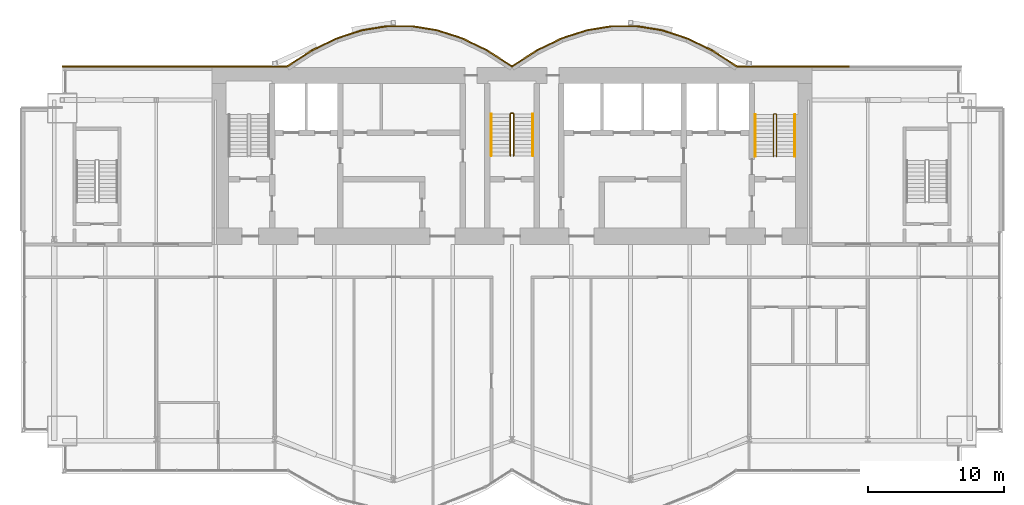
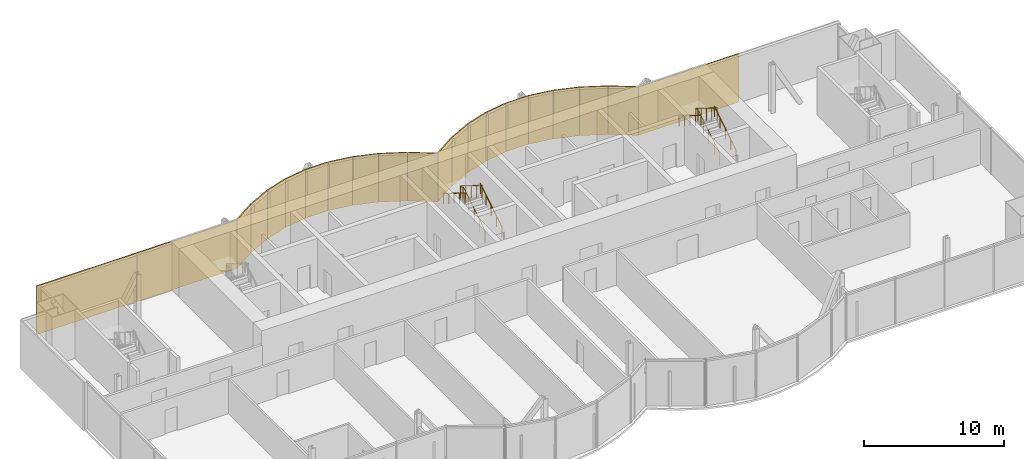
# One storey, part 19 of 20: 21 coverings, 6 railings.
"""IFC4 building model written with IfcOpenShell, lengths in metres."""

import ifcopenshell
import ifcopenshell.guid

model = None  # the IFC model being written
_history = None  # IfcOwnerHistory: only IFC2X3 demands one
_inside = {}  # id of a spatial element -> (the spatial element, [elements in it])
_under = {}  # id of a project, library or spatial element -> (it, [spatial elements below it])
_declared = {}  # id of a project -> (the project, [libraries it declares])
_typed = {}  # id of a type object -> (the type object, [elements of that type])
_made_of = {}  # id of a material, layer set ... -> (it, [elements and type objects made of it])


def new_model(schema):
    """Start an empty IFC model of exactly this schema.

    Asked for "IFC4X3", IfcOpenShell would pick the latest addendum, in which some entities
    have other attributes; the version numbers below select the first issue.
    IFC2X3 requires an IfcOwnerHistory on every rooted entity: one is made here for all.
    """
    global model, _history
    if schema == "IFC4X3":
        model = ifcopenshell.file(schema_version=(4, 3, 0, 0))
    else:
        model = ifcopenshell.file(schema=schema)
    _inside.clear()
    _under.clear()
    _declared.clear()
    _typed.clear()
    _made_of.clear()
    _history = None
    if model.schema == "IFC2X3":
        org = make("IfcOrganization", Name="unknown")
        user = make(
            "IfcPersonAndOrganization",
            ThePerson=make("IfcPerson", FamilyName="unknown"),
            TheOrganization=org,
        )
        app = make(
            "IfcApplication",
            ApplicationDeveloper=org,
            Version="unknown",
            ApplicationFullName="unknown",
            ApplicationIdentifier="unknown",
        )
        _history = make(
            "IfcOwnerHistory",
            OwningUser=user,
            OwningApplication=app,
            ChangeAction="ADDED",
            CreationDate=0,
        )
    return model


def make(cls, **values):
    """One entity of the class cls with the attributes given. An attribute that is None is left unset."""
    return model.create_entity(
        cls, **{name: value for name, value in values.items() if value is not None}
    )


def rooted(cls, **values):
    """An entity with a GlobalId (a new one), such as an element, a storey or a relation."""
    return make(cls, GlobalId=ifcopenshell.guid.new(), OwnerHistory=_history, **values)


def si_unit(unit_type, name, prefix=None):
    """IfcSIUnit, for example si_unit("LENGTHUNIT", "METRE", prefix="MILLI")."""
    return make("IfcSIUnit", UnitType=unit_type, Prefix=prefix, Name=name)


def assignment(units):
    """IfcUnitAssignment: the units of a project."""
    return None if units is None else make("IfcUnitAssignment", Units=units)


def point(xyz):
    """IfcCartesianPoint."""
    return None if xyz is None else make("IfcCartesianPoint", Coordinates=xyz)


def direction(xyz):
    """IfcDirection."""
    return None if xyz is None else make("IfcDirection", DirectionRatios=xyz)


def frame(location, z_axis=None, x_axis=None):
    """IfcAxis2Placement3D, a coordinate frame: its origin and axes. An axis left out is left unset."""
    return make(
        "IfcAxis2Placement3D",
        Location=point(location),
        Axis=direction(z_axis),
        RefDirection=direction(x_axis),
    )


def frame_2d(location, x_axis=None):
    """IfcAxis2Placement2D, a coordinate frame in the plane: its origin and x axis."""
    return make(
        "IfcAxis2Placement2D", Location=point(location), RefDirection=direction(x_axis)
    )


def origin():
    """The frame at (0, 0, 0) with its axes left unset."""
    return frame((0.0, 0.0, 0.0))


def origin_2d():
    """The frame at (0, 0) in the plane with its x axis left unset."""
    return frame_2d((0.0, 0.0))


def place(relative_to, where):
    """IfcLocalPlacement: puts the frame where relative to a parent placement (None: the world)."""
    return make(
        "IfcLocalPlacement", PlacementRelTo=relative_to, RelativePlacement=where
    )


def context(
    kind, dimensions, precision=None, world=None, true_north=None, identifier=None
):
    """IfcGeometricRepresentationContext, for example the 3D "Model" context."""
    return make(
        "IfcGeometricRepresentationContext",
        ContextIdentifier=identifier,
        ContextType=kind,
        CoordinateSpaceDimension=dimensions,
        Precision=precision,
        WorldCoordinateSystem=world,
        TrueNorth=true_north,
    )


def subcontext(parent, identifier, kind, view, scale=None):
    """IfcGeometricRepresentationSubContext, for example "Body" below "Model"."""
    return make(
        "IfcGeometricRepresentationSubContext",
        ContextIdentifier=identifier,
        ContextType=kind,
        ParentContext=parent,
        TargetScale=scale,
        TargetView=view,
    )


def project(units=None, contexts=None):
    """IfcProject with its units and contexts."""
    return rooted(
        "IfcProject",
        Name="project",
        RepresentationContexts=contexts,
        UnitsInContext=assignment(units),
    )


def spatial(cls, under=None, at=None, **own):
    """A site, building, storey or space (cls), placed at a placement, below another one or the project."""
    s = rooted(cls, ObjectPlacement=at, **own)
    if under is not None:
        _under.setdefault(under.id(), (under, []))[1].append(s)
    return s


def profile(cls, at=None, kind="AREA", **sizes):
    """A parametric profile (cls). Its sizes go by their IFC names, for example OverallWidth=200.0."""
    return make(cls, ProfileType=kind, Position=at, **sizes)


def rectangle(**sizes):
    """IfcRectangleProfileDef."""
    return profile("IfcRectangleProfileDef", **sizes)


def circle(**sizes):
    """IfcCircleProfileDef."""
    return profile("IfcCircleProfileDef", **sizes)


def extrude(swept, where, along, depth):
    """IfcExtrudedAreaSolid: the profile swept, set in the frame where, extruded along a direction by depth."""
    return make(
        "IfcExtrudedAreaSolid",
        SweptArea=swept,
        Position=where,
        ExtrudedDirection=direction(along),
        Depth=depth,
    )


def shape(context_of_items, identifier, shape_type, items):
    """IfcShapeRepresentation: the items that make up one representation, for example the "Body"."""
    return make(
        "IfcShapeRepresentation",
        ContextOfItems=context_of_items,
        RepresentationIdentifier=identifier,
        RepresentationType=shape_type,
        Items=items,
    )


def material(Name=None, Category=None):
    """IfcMaterial."""
    return make("IfcMaterial", Name=Name, Category=Category)


def layer(
    of_material, thickness, ventilated=None, Name=None, Category=None, Priority=None
):
    """IfcMaterialLayer: one layer of a wall or slab, of a material (None: an air gap)."""
    return make(
        "IfcMaterialLayer",
        Material=of_material,
        LayerThickness=thickness,
        IsVentilated=ventilated,
        Name=Name,
        Category=Category,
        Priority=Priority,
    )


def layer_set(layers, Name=None):
    """IfcMaterialLayerSet."""
    return make("IfcMaterialLayerSet", MaterialLayers=layers, LayerSetName=Name)


def made_of(thing, what):
    """Note that an element or type object is made of a material, layer set ...; save() writes the relation."""
    if what is not None:
        _made_of.setdefault(what.id(), (what, []))[1].append(thing)
    return thing


def type_object(cls, material=None, **own):
    """A type object (cls), such as IfcWallType, which elements share."""
    return made_of(rooted(cls, **own), material)


def element(
    cls,
    number,
    at=None,
    inside=None,
    cuts=None,
    type_object=None,
    material=None,
    context=None,
    identifier="Body",
    shape_type=None,
    held_by="IfcProductDefinitionShape",
    body=None,
    shapes=None,
    **own,
):
    """One element of the class cls, such as IfcWall. Its Tag is "e" and its number.

    at: its placement. inside: the storey or other place that contains it. cuts: it is an
    opening in that element (IfcRelVoidsElement). A single representation is given by context,
    identifier, shape_type and body (its items); several are given by shapes. held_by: the class
    of the entity that holds the representations. save() writes the other relations.
    """
    e = rooted(cls, Tag="e%d" % number, ObjectPlacement=at, **own)
    if body is not None:
        shapes = [shape(context, identifier, shape_type, body)]
    if shapes is not None:
        e.Representation = make(held_by, Representations=shapes)
    if inside is not None:
        _inside.setdefault(inside.id(), (inside, []))[1].append(e)
    if cuts is not None:
        rooted(
            "IfcRelVoidsElement", RelatingBuildingElement=cuts, RelatedOpeningElement=e
        )
    if type_object is not None:
        _typed.setdefault(type_object.id(), (type_object, []))[1].append(e)
    return made_of(e, material)


def aggregate(whole, parts):
    """IfcRelAggregates: a whole, such as a stair, and the parts it consists of."""
    return rooted("IfcRelAggregates", RelatingObject=whole, RelatedObjects=parts)


def save(model, path):
    """Write the relations noted so far, then the file.

    IfcRelAggregates (storeys below a building ...), IfcRelContainedInSpatialStructure (elements
    in a storey), IfcRelDefinesByType, IfcRelAssociatesMaterial and IfcRelDeclares: one each for
    every whole, place, type object, material and project.
    """
    for whole, parts in _under.values():
        aggregate(whole, parts)
    for where, things in _inside.values():
        rooted(
            "IfcRelContainedInSpatialStructure",
            RelatedElements=things,
            RelatingStructure=where,
        )
    for kind, things in _typed.values():
        rooted("IfcRelDefinesByType", RelatedObjects=things, RelatingType=kind)
    for what, things in _made_of.values():
        rooted("IfcRelAssociatesMaterial", RelatedObjects=things, RelatingMaterial=what)
    for by, libraries in _declared.values():
        rooted("IfcRelDeclares", RelatingContext=by, RelatedDefinitions=libraries)
    model.write(path)


model = new_model("IFC4")

# Units and contexts
model_context = context("Model", 3, precision=1e-05, world=origin(), true_north=direction((0.0, 1.0)))
body_context = subcontext(model_context, "Body", "Model", "MODEL_VIEW")
ifc_project = project(units=[si_unit("LENGTHUNIT", "METRE"), si_unit("AREAUNIT", "SQUARE_METRE"), si_unit("VOLUMEUNIT", "CUBIC_METRE"), si_unit("PLANEANGLEUNIT", "RADIAN"), si_unit("MASSUNIT", "GRAM", prefix="KILO")], contexts=[model_context])

# Site, building, storey
site_placement = place(None, origin())
site = spatial("IfcSite", under=ifc_project, at=site_placement, CompositionType="ELEMENT")
building_placement = place(site_placement, origin())
building = spatial("IfcBuilding", under=site, at=building_placement, Name="Bicima Exchange Tower", CompositionType="ELEMENT")
storey_placement = place(building_placement, frame((0.0, 0.0, 249.800048828125)))
storey = spatial("IfcBuildingStorey", under=building, at=storey_placement, Name="L56", CompositionType="ELEMENT", Elevation=249.800048828125)

# Coverings
ifc_material_1 = material(Name="Bronze metal cladding")
ifc_layer_1 = layer(ifc_material_1, 0.004)
ifc_material_2 = material(Name="Ventilated cavity")
ifc_layer_2 = layer(ifc_material_2, 0.06)
ifc_material_3 = material(Name="Galvanised steel rail and mineral wool", Category="steel")
ifc_layer_3 = layer(ifc_material_3, 0.036)
ifc_layer_set = layer_set([ifc_layer_1, ifc_layer_2, ifc_layer_3], Name="Ventilated cavity")
covering_type = type_object("IfcCoveringType", Name="Bronze metal cladding panel 100", PredefinedType="CLADDING", material=ifc_layer_set)
covering_1_placement = place(storey_placement, frame((20.625, 0.050048828125, -0.14990234375), z_axis=(0.0, 0.0, 1.0), x_axis=(-1.0, 0.0, 0.0)))
element("IfcCovering", 1, at=covering_1_placement, inside=storey, type_object=covering_type, Name="Bronze cladding L56 1.2", PredefinedType="CLADDING", context=body_context, shape_type="SweptSolid", body=[
    extrude(rectangle(XDim=8.25, YDim=0.10009765625, at=origin_2d()), origin(), (0.0, 0.0, 1.0), 4.199951171875),
])
covering_2_placement = place(storey_placement, frame((15.610595703125, 0.634521484375, -0.14990234375), z_axis=(0.0, 0.0, 1.0), x_axis=(-0.839790466384, 0.542910648791, 0.0)))
element("IfcCovering", 2, at=covering_2_placement, inside=storey, type_object=covering_type, Name="Bronze cladding L56 2.1", PredefinedType="CLADDING", context=body_context, shape_type="SweptSolid", body=[
    extrude(rectangle(XDim=2.18310546875, YDim=0.10009765625, at=origin_2d()), origin(), (0.0, 0.0, 1.0), 4.199951171875),
])
covering_3_placement = place(storey_placement, frame((13.771728515625, 1.674560546875, -0.14990234375), z_axis=(0.0, 0.0, 1.0), x_axis=(-0.899818346812, 0.436264762204, 0.0)))
element("IfcCovering", 3, at=covering_3_placement, inside=storey, type_object=covering_type, Name="Bronze cladding L56 3.1", PredefinedType="CLADDING", context=body_context, shape_type="SweptSolid", body=[
    extrude(rectangle(XDim=2.03759765625, YDim=0.10009765625, at=origin_2d()), origin(), (0.0, 0.0, 1.0), 4.199951171875),
])
covering_4_placement = place(storey_placement, frame((11.931884765625, 2.41796875, -0.14990234375), z_axis=(0.0, 0.0, 1.0), x_axis=(-0.951524642381, 0.307572519808, 0.0)))
element("IfcCovering", 4, at=covering_4_placement, inside=storey, type_object=covering_type, Name="Bronze cladding L56 4.1", PredefinedType="CLADDING", context=body_context, shape_type="SweptSolid", body=[
    extrude(rectangle(XDim=1.9267578125, YDim=0.10009765625, at=origin_2d()), origin(), (0.0, 0.0, 1.0), 4.199951171875),
])
covering_5_placement = place(storey_placement, frame((10.09130859375, 2.8642578125, -0.14990234375), z_axis=(0.0, 0.0, 1.0), x_axis=(-0.987189786347, 0.159550386184, 0.0)))
element("IfcCovering", 5, at=covering_5_placement, inside=storey, type_object=covering_type, Name="Bronze cladding L56 5.1", PredefinedType="CLADDING", context=body_context, shape_type="SweptSolid", body=[
    extrude(rectangle(XDim=1.857177734375, YDim=0.10009765625, at=origin_2d()), origin(), (0.0, 0.0, 1.0), 4.199951171875),
])
covering_6_placement = place(storey_placement, frame((8.25, 3.012939453125, -0.14990234375), z_axis=(0.0, 0.0, 1.0), x_axis=(-1.0, 0.0, 0.0)))
element("IfcCovering", 6, at=covering_6_placement, inside=storey, type_object=covering_type, Name="Bronze cladding L56 6.1", PredefinedType="CLADDING", context=body_context, shape_type="SweptSolid", body=[
    extrude(rectangle(XDim=1.83349609375, YDim=0.10009765625, at=origin_2d()), origin(), (0.0, 0.0, 1.0), 4.199951171875),
])
covering_7_placement = place(storey_placement, frame((6.40869140625, 2.8642578125, -0.14990234375), z_axis=(0.0, 0.0, 1.0), x_axis=(-0.987189786347, -0.159550386184, 0.0)))
element("IfcCovering", 7, at=covering_7_placement, inside=storey, type_object=covering_type, Name="Bronze cladding L56 7.1", PredefinedType="CLADDING", context=body_context, shape_type="SweptSolid", body=[
    extrude(rectangle(XDim=1.857177734375, YDim=0.10009765625, at=origin_2d()), origin(), (0.0, 0.0, 1.0), 4.199951171875),
])
covering_8_placement = place(storey_placement, frame((4.568115234375, 2.41796875, -0.14990234375), z_axis=(0.0, 0.0, 1.0), x_axis=(-0.951524642381, -0.307572519808, 0.0)))
element("IfcCovering", 8, at=covering_8_placement, inside=storey, type_object=covering_type, Name="Bronze cladding L56 8.1", PredefinedType="CLADDING", context=body_context, shape_type="SweptSolid", body=[
    extrude(rectangle(XDim=1.9267578125, YDim=0.10009765625, at=origin_2d()), origin(), (0.0, 0.0, 1.0), 4.199951171875),
])
covering_9_placement = place(storey_placement, frame((2.728271484375, 1.674560546875, -0.14990234375), z_axis=(0.0, 0.0, 1.0), x_axis=(-0.899818346812, -0.436264762204, 0.0)))
element("IfcCovering", 9, at=covering_9_placement, inside=storey, type_object=covering_type, Name="Bronze cladding L56 9.1", PredefinedType="CLADDING", context=body_context, shape_type="SweptSolid", body=[
    extrude(rectangle(XDim=2.03759765625, YDim=0.10009765625, at=origin_2d()), origin(), (0.0, 0.0, 1.0), 4.199951171875),
])
for number, where, z_axis, x_axis, name in (
    (10, (0.889404296875, 0.634521484375, -0.14990234375), (0.0, 0.0, 1.0), (-0.839790466384, -0.542910648791, 0.0), "Bronze cladding L56 10.1"),
    (11, (-0.889404296875, 0.634521484375, -0.14990234375), (0.0, 0.0, 1.0), (-0.839790466384, 0.542910648791, 0.0), "Bronze cladding L56 11.1"),
):
    element("IfcCovering", number, at=place(storey_placement, frame(where, z_axis=z_axis, x_axis=x_axis)), inside=storey, type_object=covering_type, Name=name, PredefinedType="CLADDING", context=body_context, shape_type="SweptSolid", body=[
        extrude(rectangle(XDim=2.18310546875, YDim=0.10009765625, at=origin_2d()), origin(), (0.0, 0.0, 1.0), 4.199951171875),
    ])
covering_10_placement = place(storey_placement, frame((-2.728271484375, 1.674560546875, -0.14990234375), z_axis=(0.0, 0.0, 1.0), x_axis=(-0.899818346812, 0.436264762204, 0.0)))
element("IfcCovering", 12, at=covering_10_placement, inside=storey, type_object=covering_type, Name="Bronze cladding L56 12.1", PredefinedType="CLADDING", context=body_context, shape_type="SweptSolid", body=[
    extrude(rectangle(XDim=2.03759765625, YDim=0.10009765625, at=origin_2d()), origin(), (0.0, 0.0, 1.0), 4.199951171875),
])
covering_11_placement = place(storey_placement, frame((-4.568115234375, 2.41796875, -0.14990234375), z_axis=(0.0, 0.0, 1.0), x_axis=(-0.951524642381, 0.307572519808, 0.0)))
element("IfcCovering", 13, at=covering_11_placement, inside=storey, type_object=covering_type, Name="Bronze cladding L56 13.1", PredefinedType="CLADDING", context=body_context, shape_type="SweptSolid", body=[
    extrude(rectangle(XDim=1.9267578125, YDim=0.10009765625, at=origin_2d()), origin(), (0.0, 0.0, 1.0), 4.199951171875),
])
covering_12_placement = place(storey_placement, frame((-6.40869140625, 2.8642578125, -0.14990234375), z_axis=(0.0, 0.0, 1.0), x_axis=(-0.987189786347, 0.159550386184, 0.0)))
element("IfcCovering", 14, at=covering_12_placement, inside=storey, type_object=covering_type, Name="Bronze cladding L56 14.1", PredefinedType="CLADDING", context=body_context, shape_type="SweptSolid", body=[
    extrude(rectangle(XDim=1.857177734375, YDim=0.10009765625, at=origin_2d()), origin(), (0.0, 0.0, 1.0), 4.199951171875),
])
covering_13_placement = place(storey_placement, frame((-8.25, 3.012939453125, -0.14990234375), z_axis=(0.0, 0.0, 1.0), x_axis=(-1.0, 0.0, 0.0)))
element("IfcCovering", 15, at=covering_13_placement, inside=storey, type_object=covering_type, Name="Bronze cladding L56 15.1", PredefinedType="CLADDING", context=body_context, shape_type="SweptSolid", body=[
    extrude(rectangle(XDim=1.83349609375, YDim=0.10009765625, at=origin_2d()), origin(), (0.0, 0.0, 1.0), 4.199951171875),
])
covering_14_placement = place(storey_placement, frame((-10.09130859375, 2.8642578125, -0.14990234375), z_axis=(0.0, 0.0, 1.0), x_axis=(-0.987189786347, -0.159550386184, 0.0)))
element("IfcCovering", 16, at=covering_14_placement, inside=storey, type_object=covering_type, Name="Bronze cladding L56 16.1", PredefinedType="CLADDING", context=body_context, shape_type="SweptSolid", body=[
    extrude(rectangle(XDim=1.857177734375, YDim=0.10009765625, at=origin_2d()), origin(), (0.0, 0.0, 1.0), 4.199951171875),
])
covering_15_placement = place(storey_placement, frame((-11.931884765625, 2.41796875, -0.14990234375), z_axis=(0.0, 0.0, 1.0), x_axis=(-0.951524642381, -0.307572519808, 0.0)))
element("IfcCovering", 17, at=covering_15_placement, inside=storey, type_object=covering_type, Name="Bronze cladding L56 17.1", PredefinedType="CLADDING", context=body_context, shape_type="SweptSolid", body=[
    extrude(rectangle(XDim=1.9267578125, YDim=0.10009765625, at=origin_2d()), origin(), (0.0, 0.0, 1.0), 4.199951171875),
])
covering_16_placement = place(storey_placement, frame((-13.771728515625, 1.674560546875, -0.14990234375), z_axis=(0.0, 0.0, 1.0), x_axis=(-0.899818346812, -0.436264762204, 0.0)))
element("IfcCovering", 18, at=covering_16_placement, inside=storey, type_object=covering_type, Name="Bronze cladding L56 18.1", PredefinedType="CLADDING", context=body_context, shape_type="SweptSolid", body=[
    extrude(rectangle(XDim=2.03759765625, YDim=0.10009765625, at=origin_2d()), origin(), (0.0, 0.0, 1.0), 4.199951171875),
])
covering_17_placement = place(storey_placement, frame((-15.610595703125, 0.634521484375, -0.14990234375), z_axis=(0.0, 0.0, 1.0), x_axis=(-0.839790466384, -0.542910648791, 0.0)))
element("IfcCovering", 19, at=covering_17_placement, inside=storey, type_object=covering_type, Name="Bronze cladding L56 19.1", PredefinedType="CLADDING", context=body_context, shape_type="SweptSolid", body=[
    extrude(rectangle(XDim=2.18310546875, YDim=0.10009765625, at=origin_2d()), origin(), (0.0, 0.0, 1.0), 4.199951171875),
])
for number, where, z_axis, x_axis, name in (
    (20, (-20.625, 0.050048828125, -0.14990234375), (0.0, 0.0, 1.0), (-1.0, 0.0, 0.0), "Bronze cladding L56 20.1"),
    (21, (-28.875, 0.050048828125, -0.14990234375), (0.0, 0.0, 1.0), (-1.0, 0.0, 0.0), "Bronze cladding L56 20.2"),
):
    element("IfcCovering", number, at=place(storey_placement, frame(where, z_axis=z_axis, x_axis=x_axis)), inside=storey, type_object=covering_type, Name=name, PredefinedType="CLADDING", context=body_context, shape_type="SweptSolid", body=[
        extrude(rectangle(XDim=8.25, YDim=0.10009765625, at=origin_2d()), origin(), (0.0, 0.0, 1.0), 4.199951171875),
    ])

# Railings
ifc_material_4 = material(Name="Stainless steel", Category="steel")
railing_type_1 = type_object("IfcRailingType", Name="Stair guard 1100", PredefinedType="GUARDRAIL", material=ifc_material_4)
railing_1_placement = place(storey_placement, frame((0.125, -6.5, 0.175048828125)))
element("IfcRailing", 22, at=railing_1_placement, inside=storey, type_object=railing_type_1, Name="L56 ST-C stair guard 1", PredefinedType="GUARDRAIL", context=body_context, shape_type="SweptSolid", body=[
    extrude(circle(Radius=0.02392578125, at=origin_2d()), frame((0.0, 0.0, 1.076171875), z_axis=(0.0, 0.848028513186, 0.529950602248), x_axis=(-1.0, 0.0, 0.0)), (0.0, 0.0, 1.0), 3.632080078125),
    extrude(circle(Radius=0.02392578125, at=origin_2d()), frame((0.0, 3.080078125, 3.0009765625), z_axis=(-0.708833529934, 0.705375805398, 0.0), x_axis=(-0.705375805398, -0.708833529934, 0.0)), (0.0, 0.0, 1.0), 0.070556640625),
    extrude(circle(Radius=0.02392578125, at=origin_2d()), frame((-0.050048828125, 3.1298828125, 3.0009765625), z_axis=(-1.0, 0.0, 0.0), x_axis=(0.0, -1.0, 0.0)), (0.0, 0.0, 1.0), 0.14990234375),
    extrude(circle(Radius=0.02392578125, at=origin_2d()), frame((-0.199951171875, 3.1298828125, 3.0009765625), z_axis=(-0.265155923931, -0.263862480399, 0.927399011991), x_axis=(0.705375805398, -0.708833529934, 0.0)), (0.0, 0.0, 1.0), 0.188720703125),
    extrude(circle(Radius=0.02392578125, at=origin_2d()), frame((-0.25, 3.080078125, 3.17578125), z_axis=(0.0, -0.847998304005, 0.529998940003), x_axis=(1.0, 0.0, 0.0)), (0.0, 0.0, 1.0), 3.632080078125),
    extrude(circle(Radius=0.02099609375, at=origin_2d()), origin(), (0.0, 0.0, 1.0), 1.052001953125),
    extrude(circle(Radius=0.02099609375, at=origin_2d()), frame((0.0, 0.77001953125, 0.481201171875)), (0.0, 0.0, 1.0), 1.052001953125),
    extrude(circle(Radius=0.02099609375, at=origin_2d()), frame((0.0, 1.5400390625, 0.96240234375)), (0.0, 0.0, 1.0), 1.052001953125),
    extrude(circle(Radius=0.02099609375, at=origin_2d()), frame((0.0, 2.31005859375, 1.443603515625)), (0.0, 0.0, 1.0), 1.052001953125),
    extrude(circle(Radius=0.02099609375, at=origin_2d()), frame((0.0, 3.080078125, 1.9248046875)), (0.0, 0.0, 1.0), 1.052001953125),
    extrude(circle(Radius=0.02099609375, at=origin_2d()), frame((-0.050048828125, 3.1298828125, 1.9248046875)), (0.0, 0.0, 1.0), 1.052001953125),
    extrude(circle(Radius=0.02099609375, at=origin_2d()), frame((-0.199951171875, 3.1298828125, 1.9248046875)), (0.0, 0.0, 1.0), 1.052001953125),
    extrude(circle(Radius=0.02099609375, at=origin_2d()), frame((-0.25, 3.080078125, 2.099853515625)), (0.0, 0.0, 1.0), 1.052001953125),
    extrude(circle(Radius=0.02099609375, at=origin_2d()), frame((-0.25, 2.31005859375, 2.5810546875)), (0.0, 0.0, 1.0), 1.052001953125),
    extrude(circle(Radius=0.02099609375, at=origin_2d()), frame((-0.25, 1.5400390625, 3.0625)), (0.0, 0.0, 1.0), 1.052001953125),
    extrude(circle(Radius=0.02099609375, at=origin_2d()), frame((-0.25, 0.77001953125, 3.543701171875)), (0.0, 0.0, 1.0), 1.052001953125),
    extrude(circle(Radius=0.02099609375, at=origin_2d()), frame((-0.25, 0.0, 4.02490234375)), (0.0, 0.0, 1.0), 1.052001953125),
])
railing_2_placement = place(storey_placement, frame((19.39990234375, -6.550048828125, 0.175048828125)))
element("IfcRailing", 23, at=railing_2_placement, inside=storey, type_object=railing_type_1, Name="L56 ST-E stair guard 1", PredefinedType="GUARDRAIL", context=body_context, shape_type="SweptSolid", body=[
    extrude(circle(Radius=0.02392578125, at=origin_2d()), frame((0.0, 0.0, 1.076171875), z_axis=(0.0, 0.848028513186, 0.529950602248), x_axis=(-1.0, 0.0, 0.0)), (0.0, 0.0, 1.0), 3.632080078125),
    extrude(circle(Radius=0.02392578125, at=origin_2d()), frame((0.0, 3.080078125, 3.0009765625), z_axis=(-0.705375805398, 0.708833529934, 0.0), x_axis=(-0.708833529934, -0.705375805398, 0.0)), (0.0, 0.0, 1.0), 0.070556640625),
    extrude(circle(Radius=0.02392578125, at=origin_2d()), frame((-0.0498046875, 3.130126953125, 3.0009765625), z_axis=(-1.0, 0.0, 0.0), x_axis=(0.0, -1.0, 0.0)), (0.0, 0.0, 1.0), 0.10009765625),
    extrude(circle(Radius=0.02392578125, at=origin_2d()), frame((-0.14990234375, 3.130126953125, 3.0009765625), z_axis=(-0.265065253269, -0.265065253269, 0.927081885822), x_axis=(0.707106781187, -0.707106781187, 0.0)), (0.0, 0.0, 1.0), 0.188720703125),
    extrude(circle(Radius=0.02392578125, at=origin_2d()), frame((-0.199951171875, 3.080078125, 3.17578125), z_axis=(0.0, -0.847998304005, 0.529998940003), x_axis=(1.0, 0.0, 0.0)), (0.0, 0.0, 1.0), 3.632080078125),
    extrude(circle(Radius=0.02099609375, at=origin_2d()), origin(), (0.0, 0.0, 1.0), 1.052001953125),
    extrude(circle(Radius=0.02099609375, at=origin_2d()), frame((0.0, 0.77001953125, 0.481201171875)), (0.0, 0.0, 1.0), 1.052001953125),
    extrude(circle(Radius=0.02099609375, at=origin_2d()), frame((0.0, 1.5400390625, 0.96240234375)), (0.0, 0.0, 1.0), 1.052001953125),
    extrude(circle(Radius=0.02099609375, at=origin_2d()), frame((0.0, 2.31005859375, 1.443603515625)), (0.0, 0.0, 1.0), 1.052001953125),
    extrude(circle(Radius=0.02099609375, at=origin_2d()), frame((0.0, 3.080078125, 1.9248046875)), (0.0, 0.0, 1.0), 1.052001953125),
    extrude(circle(Radius=0.02099609375, at=origin_2d()), frame((-0.0498046875, 3.130126953125, 1.9248046875)), (0.0, 0.0, 1.0), 1.052001953125),
    extrude(circle(Radius=0.02099609375, at=origin_2d()), frame((-0.14990234375, 3.130126953125, 1.9248046875)), (0.0, 0.0, 1.0), 1.052001953125),
    extrude(circle(Radius=0.02099609375, at=origin_2d()), frame((-0.199951171875, 3.080078125, 2.099853515625)), (0.0, 0.0, 1.0), 1.052001953125),
    extrude(circle(Radius=0.02099609375, at=origin_2d()), frame((-0.199951171875, 2.31005859375, 2.5810546875)), (0.0, 0.0, 1.0), 1.052001953125),
    extrude(circle(Radius=0.02099609375, at=origin_2d()), frame((-0.199951171875, 1.5400390625, 3.0625)), (0.0, 0.0, 1.0), 1.052001953125),
    extrude(circle(Radius=0.02099609375, at=origin_2d()), frame((-0.199951171875, 0.77001953125, 3.543701171875)), (0.0, 0.0, 1.0), 1.052001953125),
    extrude(circle(Radius=0.02099609375, at=origin_2d()), frame((-0.199951171875, 0.0, 4.02490234375)), (0.0, 0.0, 1.0), 1.052001953125),
])
railing_type_2 = type_object("IfcRailingType", Name="Stair handrail 900", PredefinedType="HANDRAIL", material=ifc_material_4)
railing_3_placement = place(storey_placement, frame((1.52490234375, -6.5, 0.175048828125)))
element("IfcRailing", 24, at=railing_3_placement, inside=storey, type_object=railing_type_2, Name="L56 ST-C stair handrail 1", PredefinedType="HANDRAIL", context=body_context, shape_type="SweptSolid", body=[
    extrude(circle(Radius=0.02392578125, at=origin_2d()), frame((0.0, 0.0, 0.8759765625), z_axis=(0.0, 0.848028513186, 0.529950602248), x_axis=(-1.0, 0.0, 0.0)), (0.0, 0.0, 1.0), 3.632080078125),
    extrude(circle(Radius=0.02099609375, at=origin_2d()), origin(), (0.0, 0.0, 1.0), 0.851806640625),
    extrude(circle(Radius=0.02099609375, at=origin_2d()), frame((0.0, 0.77001953125, 0.481201171875)), (0.0, 0.0, 1.0), 0.851806640625),
    extrude(circle(Radius=0.02099609375, at=origin_2d()), frame((0.0, 1.5400390625, 0.96240234375)), (0.0, 0.0, 1.0), 0.851806640625),
    extrude(circle(Radius=0.02099609375, at=origin_2d()), frame((0.0, 2.31005859375, 1.443603515625)), (0.0, 0.0, 1.0), 0.851806640625),
    extrude(circle(Radius=0.02099609375, at=origin_2d()), frame((0.0, 3.080078125, 1.9248046875)), (0.0, 0.0, 1.0), 0.851806640625),
])
railing_4_placement = place(storey_placement, frame((-1.52490234375, -3.419921875, 2.303955078125)))
element("IfcRailing", 25, at=railing_4_placement, inside=storey, type_object=railing_type_2, Name="L56 ST-C stair handrail 2", PredefinedType="HANDRAIL", context=body_context, shape_type="SweptSolid", body=[
    extrude(circle(Radius=0.02392578125, at=origin_2d()), frame((0.0, 0.0, 0.8759765625), z_axis=(0.0, -0.847998304005, 0.529998940003), x_axis=(1.0, 0.0, 0.0)), (0.0, 0.0, 1.0), 3.632080078125),
    extrude(circle(Radius=0.02099609375, at=origin_2d()), origin(), (0.0, 0.0, 1.0), 0.851806640625),
    extrude(circle(Radius=0.02099609375, at=origin_2d()), frame((0.0, -0.77001953125, 0.481201171875)), (0.0, 0.0, 1.0), 0.851806640625),
    extrude(circle(Radius=0.02099609375, at=origin_2d()), frame((0.0, -1.5400390625, 0.96240234375)), (0.0, 0.0, 1.0), 0.851806640625),
    extrude(circle(Radius=0.02099609375, at=origin_2d()), frame((0.0, -2.31005859375, 1.44384765625)), (0.0, 0.0, 1.0), 0.851806640625),
    extrude(circle(Radius=0.02099609375, at=origin_2d()), frame((0.0, -3.080078125, 1.925048828125)), (0.0, 0.0, 1.0), 0.851806640625),
])
railing_5_placement = place(storey_placement, frame((20.75, -6.550048828125, 0.175048828125)))
element("IfcRailing", 26, at=railing_5_placement, inside=storey, type_object=railing_type_2, Name="L56 ST-E stair handrail 1", PredefinedType="HANDRAIL", context=body_context, shape_type="SweptSolid", body=[
    extrude(circle(Radius=0.02392578125, at=origin_2d()), frame((0.0, 0.0, 0.8759765625), z_axis=(0.0, 0.848028513186, 0.529950602248), x_axis=(-1.0, 0.0, 0.0)), (0.0, 0.0, 1.0), 3.632080078125),
    extrude(circle(Radius=0.02099609375, at=origin_2d()), origin(), (0.0, 0.0, 1.0), 0.851806640625),
    extrude(circle(Radius=0.02099609375, at=origin_2d()), frame((0.0, 0.77001953125, 0.481201171875)), (0.0, 0.0, 1.0), 0.851806640625),
    extrude(circle(Radius=0.02099609375, at=origin_2d()), frame((0.0, 1.5400390625, 0.96240234375)), (0.0, 0.0, 1.0), 0.851806640625),
    extrude(circle(Radius=0.02099609375, at=origin_2d()), frame((0.0, 2.31005859375, 1.443603515625)), (0.0, 0.0, 1.0), 0.851806640625),
    extrude(circle(Radius=0.02099609375, at=origin_2d()), frame((0.0, 3.080078125, 1.9248046875)), (0.0, 0.0, 1.0), 0.851806640625),
])
railing_6_placement = place(storey_placement, frame((17.85009765625, -3.469970703125, 2.303955078125)))
element("IfcRailing", 27, at=railing_6_placement, inside=storey, type_object=railing_type_2, Name="L56 ST-E stair handrail 2", PredefinedType="HANDRAIL", context=body_context, shape_type="SweptSolid", body=[
    extrude(circle(Radius=0.02392578125, at=origin_2d()), frame((0.0, 0.0, 0.8759765625), z_axis=(0.0, -0.847998304005, 0.529998940003), x_axis=(1.0, 0.0, 0.0)), (0.0, 0.0, 1.0), 3.632080078125),
    extrude(circle(Radius=0.02099609375, at=origin_2d()), origin(), (0.0, 0.0, 1.0), 0.851806640625),
    extrude(circle(Radius=0.02099609375, at=origin_2d()), frame((0.0, -0.77001953125, 0.481201171875)), (0.0, 0.0, 1.0), 0.851806640625),
    extrude(circle(Radius=0.02099609375, at=origin_2d()), frame((0.0, -1.5400390625, 0.96240234375)), (0.0, 0.0, 1.0), 0.851806640625),
    extrude(circle(Radius=0.02099609375, at=origin_2d()), frame((0.0, -2.31005859375, 1.44384765625)), (0.0, 0.0, 1.0), 0.851806640625),
    extrude(circle(Radius=0.02099609375, at=origin_2d()), frame((0.0, -3.080078125, 1.925048828125)), (0.0, 0.0, 1.0), 0.851806640625),
])

save(model, "model.ifc")
